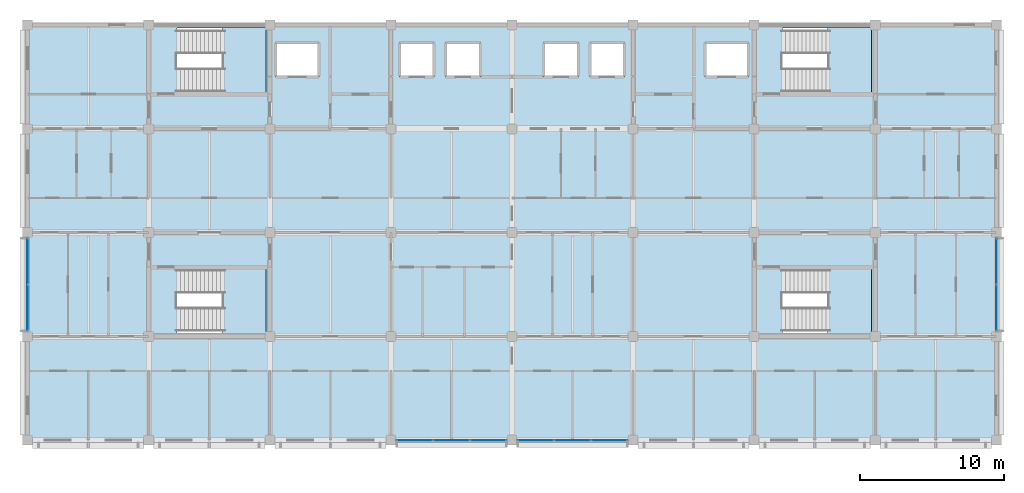
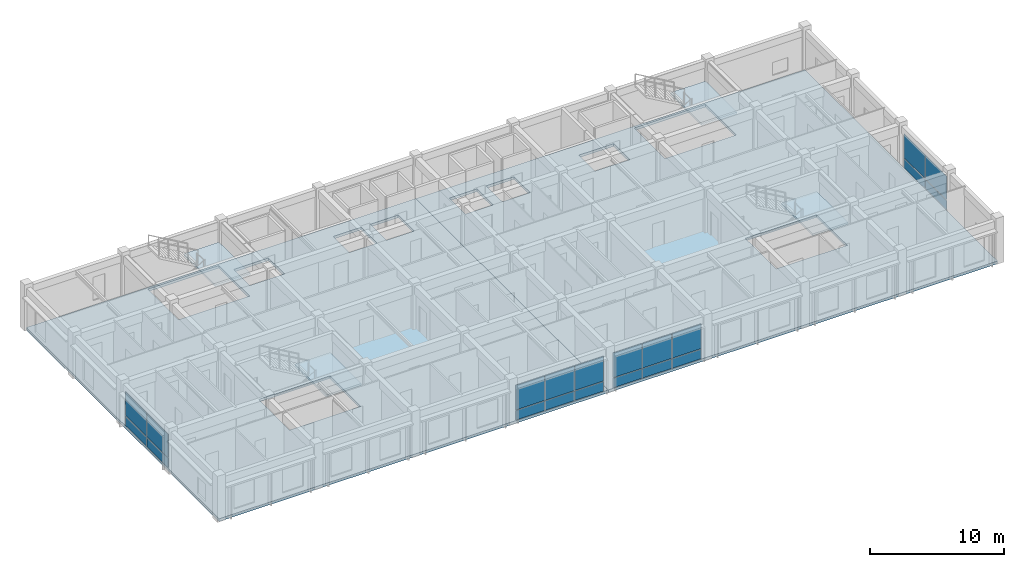
# One storey, part 8 of 19: 20 plates, 6 slabs, 8 elements without a shape of their own.
"""IFC4 building model written with IfcOpenShell, lengths in metres."""

from ifc_helpers import new_model, si_unit, direction, frame, origin, origin_2d, place, context, subcontext, project, spatial, polyline, rectangle, outline, extrude, material, layer, layer_set, type_object, element, aggregate, save


model = new_model("IFC4")

# Units and contexts
model_context = context("Model", 3, precision=1e-05, world=origin(), true_north=direction((0.0, 1.0)))
body_context = subcontext(model_context, "Body", "Model", "MODEL_VIEW")
ifc_project = project(units=[si_unit("LENGTHUNIT", "METRE"), si_unit("AREAUNIT", "SQUARE_METRE"), si_unit("VOLUMEUNIT", "CUBIC_METRE"), si_unit("PLANEANGLEUNIT", "RADIAN"), si_unit("MASSUNIT", "GRAM", prefix="KILO")], contexts=[model_context])

# Site, building, storey
site_placement = place(None, origin())
site = spatial("IfcSite", under=ifc_project, at=site_placement, CompositionType="ELEMENT")
building_placement = place(site_placement, origin())
building = spatial("IfcBuilding", under=site, at=building_placement, Name="Chengyuan Square Courthouse", CompositionType="ELEMENT")
storey_placement = place(building_placement, frame((0.0, 0.0, 56.10009765625)))
storey = spatial("IfcBuildingStorey", under=building, at=storey_placement, Name="L13", CompositionType="ELEMENT", Elevation=56.10009765625)

# Curtain wall, plates
ifc_material_1 = material(Name="Unitised Aluminium and Triple Low-E Glass", Category="aluminium")
ifc_layer_1 = layer(ifc_material_1, 0.159912109375)
ifc_layer_set_1 = layer_set([ifc_layer_1], Name="Unitised Aluminium and Triple Low-E Glass")
curtain_wall_type_1 = type_object("IfcCurtainWallType", Name="CW-13", PredefinedType="USERDEFINED", material=ifc_layer_set_1)
curtain_wall_1_placement = place(storey_placement, origin())
curtain_wall_1 = element("IfcCurtainWall", 1, at=curtain_wall_1_placement, inside=storey, type_object=curtain_wall_type_1, Name="Unitised Curtain Wall CW-L13-267", ObjectType="UNITISED CURTAIN WALL", PredefinedType="USERDEFINED")
ifc_material_2 = material(Name="Triple Low-E Insulating Glass", Category="glass")
ifc_layer_2 = layer(ifc_material_2, 0.02392578125)
ifc_layer_set_2 = layer_set([ifc_layer_2], Name="Triple Low-E Insulating Glass")
plate_type_1 = type_object("IfcPlateType", Name="CWP-01", PredefinedType="CURTAIN_PANEL", material=ifc_layer_set_2)
plate_1_placement = place(storey_placement, frame((77.248291015625, 79.199951171875, 0.06005859375), z_axis=(0.0, 0.0, 1.0), x_axis=(1.0, 0.0, 0.0)))
plate_1 = element("IfcPlate", 2, at=plate_1_placement, type_object=plate_type_1, Name="CW-13 panel 1.1", PredefinedType="CURTAIN_PANEL", context=body_context, shape_type="SweptSolid", body=[
    extrude(rectangle(XDim=2.4765625, YDim=0.02392578125, at=origin_2d()), origin(), (0.0, 0.0, 1.0), 0.860107421875),
])
plate_2_placement = place(storey_placement, frame((77.248291015625, 79.199951171875, 0.97998046875), z_axis=(0.0, 0.0, 1.0), x_axis=(1.0, 0.0, 0.0)))
plate_2 = element("IfcPlate", 3, at=plate_2_placement, type_object=plate_type_1, Name="CW-13 panel 1.2", PredefinedType="CURTAIN_PANEL", context=body_context, shape_type="SweptSolid", body=[
    extrude(rectangle(XDim=2.4765625, YDim=0.02392578125, at=origin_2d()), origin(), (0.0, 0.0, 1.0), 2.27001953125),
])
plate_3_placement = place(storey_placement, frame((79.800048828125, 79.199951171875, 0.06005859375), z_axis=(0.0, 0.0, 1.0), x_axis=(1.0, 0.0, 0.0)))
plate_3 = element("IfcPlate", 4, at=plate_3_placement, type_object=plate_type_1, Name="CW-13 panel 2.1", PredefinedType="CURTAIN_PANEL", context=body_context, shape_type="SweptSolid", body=[
    extrude(rectangle(XDim=2.506591796875, YDim=0.02392578125, at=origin_2d()), origin(), (0.0, 0.0, 1.0), 0.860107421875),
])
plate_4_placement = place(storey_placement, frame((79.800048828125, 79.199951171875, 0.97998046875), z_axis=(0.0, 0.0, 1.0), x_axis=(1.0, 0.0, 0.0)))
plate_4 = element("IfcPlate", 5, at=plate_4_placement, type_object=plate_type_1, Name="CW-13 panel 2.2", PredefinedType="CURTAIN_PANEL", context=body_context, shape_type="SweptSolid", body=[
    extrude(rectangle(XDim=2.506591796875, YDim=0.02392578125, at=origin_2d()), origin(), (0.0, 0.0, 1.0), 2.27001953125),
])
plate_5_placement = place(storey_placement, frame((82.3515625, 79.199951171875, 0.06005859375), z_axis=(0.0, 0.0, 1.0), x_axis=(1.0, 0.0, 0.0)))
plate_5 = element("IfcPlate", 6, at=plate_5_placement, type_object=plate_type_1, Name="CW-13 panel 3.1", PredefinedType="CURTAIN_PANEL", context=body_context, shape_type="SweptSolid", body=[
    extrude(rectangle(XDim=2.4765625, YDim=0.02392578125, at=origin_2d()), origin(), (0.0, 0.0, 1.0), 0.860107421875),
])
plate_6_placement = place(storey_placement, frame((82.3515625, 79.199951171875, 0.97998046875), z_axis=(0.0, 0.0, 1.0), x_axis=(1.0, 0.0, 0.0)))
plate_6 = element("IfcPlate", 7, at=plate_6_placement, type_object=plate_type_1, Name="CW-13 panel 3.2", PredefinedType="CURTAIN_PANEL", context=body_context, shape_type="SweptSolid", body=[
    extrude(rectangle(XDim=2.4765625, YDim=0.02392578125, at=origin_2d()), origin(), (0.0, 0.0, 1.0), 2.27001953125),
])
aggregate(curtain_wall_1, [plate_1, plate_2, plate_3, plate_4, plate_5, plate_6])

curtain_wall_2_placement = place(storey_placement, origin())
curtain_wall_2 = element("IfcCurtainWall", 8, at=curtain_wall_2_placement, inside=storey, type_object=curtain_wall_type_1, Name="Unitised Curtain Wall CW-L13-268", ObjectType="UNITISED CURTAIN WALL", PredefinedType="USERDEFINED")
plate_7_placement = place(storey_placement, frame((85.6484375, 79.199951171875, 0.06005859375), z_axis=(0.0, 0.0, 1.0), x_axis=(1.0, 0.0, 0.0)))
plate_7 = element("IfcPlate", 9, at=plate_7_placement, type_object=plate_type_1, Name="CW-13 panel 1.1", PredefinedType="CURTAIN_PANEL", context=body_context, shape_type="SweptSolid", body=[
    extrude(rectangle(XDim=2.4765625, YDim=0.02392578125, at=origin_2d()), origin(), (0.0, 0.0, 1.0), 0.860107421875),
])
plate_8_placement = place(storey_placement, frame((85.6484375, 79.199951171875, 0.97998046875), z_axis=(0.0, 0.0, 1.0), x_axis=(1.0, 0.0, 0.0)))
plate_8 = element("IfcPlate", 10, at=plate_8_placement, type_object=plate_type_1, Name="CW-13 panel 1.2", PredefinedType="CURTAIN_PANEL", context=body_context, shape_type="SweptSolid", body=[
    extrude(rectangle(XDim=2.4765625, YDim=0.02392578125, at=origin_2d()), origin(), (0.0, 0.0, 1.0), 2.27001953125),
])
plate_9_placement = place(storey_placement, frame((88.199951171875, 79.199951171875, 0.06005859375), z_axis=(0.0, 0.0, 1.0), x_axis=(1.0, 0.0, 0.0)))
plate_9 = element("IfcPlate", 11, at=plate_9_placement, type_object=plate_type_1, Name="CW-13 panel 2.1", PredefinedType="CURTAIN_PANEL", context=body_context, shape_type="SweptSolid", body=[
    extrude(rectangle(XDim=2.506591796875, YDim=0.02392578125, at=origin_2d()), origin(), (0.0, 0.0, 1.0), 0.860107421875),
])
plate_10_placement = place(storey_placement, frame((88.199951171875, 79.199951171875, 0.97998046875), z_axis=(0.0, 0.0, 1.0), x_axis=(1.0, 0.0, 0.0)))
plate_10 = element("IfcPlate", 12, at=plate_10_placement, type_object=plate_type_1, Name="CW-13 panel 2.2", PredefinedType="CURTAIN_PANEL", context=body_context, shape_type="SweptSolid", body=[
    extrude(rectangle(XDim=2.506591796875, YDim=0.02392578125, at=origin_2d()), origin(), (0.0, 0.0, 1.0), 2.27001953125),
])
plate_11_placement = place(storey_placement, frame((90.751708984375, 79.199951171875, 0.06005859375), z_axis=(0.0, 0.0, 1.0), x_axis=(1.0, 0.0, 0.0)))
plate_11 = element("IfcPlate", 13, at=plate_11_placement, type_object=plate_type_1, Name="CW-13 panel 3.1", PredefinedType="CURTAIN_PANEL", context=body_context, shape_type="SweptSolid", body=[
    extrude(rectangle(XDim=2.4765625, YDim=0.02392578125, at=origin_2d()), origin(), (0.0, 0.0, 1.0), 0.860107421875),
])
plate_12_placement = place(storey_placement, frame((90.751708984375, 79.199951171875, 0.97998046875), z_axis=(0.0, 0.0, 1.0), x_axis=(1.0, 0.0, 0.0)))
plate_12 = element("IfcPlate", 14, at=plate_12_placement, type_object=plate_type_1, Name="CW-13 panel 3.2", PredefinedType="CURTAIN_PANEL", context=body_context, shape_type="SweptSolid", body=[
    extrude(rectangle(XDim=2.4765625, YDim=0.02392578125, at=origin_2d()), origin(), (0.0, 0.0, 1.0), 2.27001953125),
])
aggregate(curtain_wall_2, [plate_7, plate_8, plate_9, plate_10, plate_11, plate_12])

ifc_layer_3 = layer(ifc_material_1, 0.179931640625)
ifc_layer_set_3 = layer_set([ifc_layer_3], Name="Unitised Aluminium and Triple Low-E Glass")
curtain_wall_type_2 = type_object("IfcCurtainWallType", Name="CW-02", PredefinedType="USERDEFINED", material=ifc_layer_set_3)
curtain_wall_3_placement = place(storey_placement, origin())
curtain_wall_3 = element("IfcCurtainWall", 15, at=curtain_wall_3_placement, inside=storey, type_object=curtain_wall_type_2, Name="Unitised Curtain Wall CW-L13-266", ObjectType="UNITISED CURTAIN WALL", PredefinedType="USERDEFINED")
ifc_layer_4 = layer(ifc_material_2, 0.031982421875)
ifc_layer_set_4 = layer_set([ifc_layer_4], Name="Triple Low-E Insulating Glass")
plate_type_2 = type_object("IfcPlateType", Name="CWP-02", PredefinedType="CURTAIN_PANEL", material=ifc_layer_set_4)
plate_13_placement = place(storey_placement, frame((50.39990234375, 88.391357421875, 0.06494140625), z_axis=(0.0, 0.0, 1.0), x_axis=(0.0, 1.0, 0.0)))
plate_13 = element("IfcPlate", 16, at=plate_13_placement, type_object=plate_type_2, Name="CW-02 panel 1.1", PredefinedType="CURTAIN_PANEL", context=body_context, shape_type="SweptSolid", body=[
    extrude(rectangle(XDim=3.152587890625, YDim=0.031982421875, at=origin_2d()), origin(), (0.0, 0.0, 1.0), 0.8525390625),
])
plate_14_placement = place(storey_placement, frame((50.39990234375, 88.391357421875, 0.982421875), z_axis=(0.0, 0.0, 1.0), x_axis=(0.0, 1.0, 0.0)))
plate_14 = element("IfcPlate", 17, at=plate_14_placement, type_object=plate_type_2, Name="CW-02 panel 1.2", PredefinedType="CURTAIN_PANEL", context=body_context, shape_type="SweptSolid", body=[
    extrude(rectangle(XDim=3.152587890625, YDim=0.031982421875, at=origin_2d()), origin(), (0.0, 0.0, 1.0), 2.152587890625),
])
plate_15_placement = place(storey_placement, frame((50.39990234375, 91.608642578125, 0.06494140625), z_axis=(0.0, 0.0, 1.0), x_axis=(0.0, 1.0, 0.0)))
plate_15 = element("IfcPlate", 18, at=plate_15_placement, type_object=plate_type_2, Name="CW-02 panel 2.1", PredefinedType="CURTAIN_PANEL", context=body_context, shape_type="SweptSolid", body=[
    extrude(rectangle(XDim=3.152587890625, YDim=0.031982421875, at=origin_2d()), origin(), (0.0, 0.0, 1.0), 0.8525390625),
])
plate_16_placement = place(storey_placement, frame((50.39990234375, 91.608642578125, 0.982421875), z_axis=(0.0, 0.0, 1.0), x_axis=(0.0, 1.0, 0.0)))
plate_16 = element("IfcPlate", 19, at=plate_16_placement, type_object=plate_type_2, Name="CW-02 panel 2.2", PredefinedType="CURTAIN_PANEL", context=body_context, shape_type="SweptSolid", body=[
    extrude(rectangle(XDim=3.152587890625, YDim=0.031982421875, at=origin_2d()), origin(), (0.0, 0.0, 1.0), 2.152587890625),
])
aggregate(curtain_wall_3, [plate_13, plate_14, plate_15, plate_16])

curtain_wall_4_placement = place(storey_placement, origin())
curtain_wall_4 = element("IfcCurtainWall", 20, at=curtain_wall_4_placement, inside=storey, type_object=curtain_wall_type_2, Name="Unitised Curtain Wall CW-L13-269", ObjectType="UNITISED CURTAIN WALL", PredefinedType="USERDEFINED")
plate_17_placement = place(storey_placement, frame((117.60009765625, 88.391357421875, 0.06494140625), z_axis=(0.0, 0.0, 1.0), x_axis=(0.0, 1.0, 0.0)))
plate_17 = element("IfcPlate", 21, at=plate_17_placement, type_object=plate_type_2, Name="CW-02 panel 1.1", PredefinedType="CURTAIN_PANEL", context=body_context, shape_type="SweptSolid", body=[
    extrude(rectangle(XDim=3.152587890625, YDim=0.031982421875, at=origin_2d()), origin(), (0.0, 0.0, 1.0), 0.8525390625),
])
plate_18_placement = place(storey_placement, frame((117.60009765625, 88.391357421875, 0.982421875), z_axis=(0.0, 0.0, 1.0), x_axis=(0.0, 1.0, 0.0)))
plate_18 = element("IfcPlate", 22, at=plate_18_placement, type_object=plate_type_2, Name="CW-02 panel 1.2", PredefinedType="CURTAIN_PANEL", context=body_context, shape_type="SweptSolid", body=[
    extrude(rectangle(XDim=3.152587890625, YDim=0.031982421875, at=origin_2d()), origin(), (0.0, 0.0, 1.0), 2.152587890625),
])
plate_19_placement = place(storey_placement, frame((117.60009765625, 91.608642578125, 0.06494140625), z_axis=(0.0, 0.0, 1.0), x_axis=(0.0, 1.0, 0.0)))
plate_19 = element("IfcPlate", 23, at=plate_19_placement, type_object=plate_type_2, Name="CW-02 panel 2.1", PredefinedType="CURTAIN_PANEL", context=body_context, shape_type="SweptSolid", body=[
    extrude(rectangle(XDim=3.152587890625, YDim=0.031982421875, at=origin_2d()), origin(), (0.0, 0.0, 1.0), 0.8525390625),
])
plate_20_placement = place(storey_placement, frame((117.60009765625, 91.608642578125, 0.982421875), z_axis=(0.0, 0.0, 1.0), x_axis=(0.0, 1.0, 0.0)))
plate_20 = element("IfcPlate", 24, at=plate_20_placement, type_object=plate_type_2, Name="CW-02 panel 2.2", PredefinedType="CURTAIN_PANEL", context=body_context, shape_type="SweptSolid", body=[
    extrude(rectangle(XDim=3.152587890625, YDim=0.031982421875, at=origin_2d()), origin(), (0.0, 0.0, 1.0), 2.152587890625),
])
aggregate(curtain_wall_4, [plate_17, plate_18, plate_19, plate_20])

# Stair, slab
ifc_material_3 = material(Name="Concrete C40", Category="concrete")
stair_type_1 = type_object("IfcStairType", Name="ST-TYPE-01", PredefinedType="HALF_TURN_STAIR", material=ifc_material_3)
stair_1_placement = place(storey_placement, origin())
stair_1 = element("IfcStair", 25, at=stair_1_placement, inside=storey, type_object=stair_type_1, Name="Smoke-Proof Exit Stair ST-1 (L13 to L14)", PredefinedType="HALF_TURN_STAIR")
ifc_layer_5 = layer(ifc_material_3, 0.179931640625)
ifc_layer_set_5 = layer_set([ifc_layer_5], Name="Concrete C40")
slab_type_1 = type_object("IfcSlabType", Name="SL-LND2", PredefinedType="LANDING", material=ifc_layer_set_5)
slab_1_placement = place(storey_placement, frame((0.0, 0.0, 1.919921875)))
slab_1 = element("IfcSlab", 26, at=slab_1_placement, type_object=slab_type_1, Name="ST-1 landing 1", PredefinedType="LANDING", context=body_context, shape_type="SweptSolid", body=[
    extrude(outline(polyline([(63.889892578125, 103.159912109375), (66.93994140625, 103.159912109375), (66.93994140625, 107.840087890625), (63.889892578125, 107.840087890625), (63.889892578125, 103.159912109375)])), origin(), (0.0, 0.0, 1.0), 0.179931640625),
])
aggregate(stair_1, [slab_1])

stair_type_2 = type_object("IfcStairType", Name="ST-TYPE-02", PredefinedType="HALF_TURN_STAIR", material=ifc_material_3)
stair_2_placement = place(storey_placement, origin())
stair_2 = element("IfcStair", 27, at=stair_2_placement, inside=storey, type_object=stair_type_2, Name="Smoke-Proof Exit Stair ST-2 (L13 to L14)", PredefinedType="HALF_TURN_STAIR")
slab_2_placement = place(storey_placement, frame((0.0, 0.0, 1.919921875)))
slab_2 = element("IfcSlab", 28, at=slab_2_placement, type_object=slab_type_1, Name="ST-2 landing 1", PredefinedType="LANDING", context=body_context, shape_type="SweptSolid", body=[
    extrude(outline(polyline([(105.889892578125, 103.159912109375), (108.93994140625, 103.159912109375), (108.93994140625, 107.840087890625), (105.889892578125, 107.840087890625), (105.889892578125, 103.159912109375)])), origin(), (0.0, 0.0, 1.0), 0.179931640625),
])
aggregate(stair_2, [slab_2])

stair_type_3 = type_object("IfcStairType", Name="ST-TYPE-03", PredefinedType="HALF_TURN_STAIR", material=ifc_material_3)
stair_3_placement = place(storey_placement, origin())
stair_3 = element("IfcStair", 29, at=stair_3_placement, inside=storey, type_object=stair_type_3, Name="Smoke-Proof Exit Stair ST-3 (L13 to L14)", PredefinedType="HALF_TURN_STAIR")
slab_3_placement = place(storey_placement, frame((0.0, 0.0, 1.919921875)))
slab_3 = element("IfcSlab", 30, at=slab_3_placement, type_object=slab_type_1, Name="ST-3 landing 1", PredefinedType="LANDING", context=body_context, shape_type="SweptSolid", body=[
    extrude(outline(polyline([(63.889892578125, 86.56005859375), (66.93994140625, 86.56005859375), (66.93994140625, 91.239990234375), (63.889892578125, 91.239990234375), (63.889892578125, 86.56005859375)])), origin(), (0.0, 0.0, 1.0), 0.179931640625),
])
aggregate(stair_3, [slab_3])

stair_type_4 = type_object("IfcStairType", Name="ST-TYPE-04", PredefinedType="HALF_TURN_STAIR", material=ifc_material_3)
stair_4_placement = place(storey_placement, origin())
stair_4 = element("IfcStair", 31, at=stair_4_placement, inside=storey, type_object=stair_type_4, Name="Smoke-Proof Exit Stair ST-4 (L13 to L14)", PredefinedType="HALF_TURN_STAIR")
slab_4_placement = place(storey_placement, frame((0.0, 0.0, 1.919921875)))
slab_4 = element("IfcSlab", 32, at=slab_4_placement, type_object=slab_type_1, Name="ST-4 landing 1", PredefinedType="LANDING", context=body_context, shape_type="SweptSolid", body=[
    extrude(outline(polyline([(105.889892578125, 86.56005859375), (108.93994140625, 86.56005859375), (108.93994140625, 91.239990234375), (105.889892578125, 91.239990234375), (105.889892578125, 86.56005859375)])), origin(), (0.0, 0.0, 1.0), 0.179931640625),
])
aggregate(stair_4, [slab_4])

# Slabs
ifc_layer_6 = layer(ifc_material_3, 0.239990234375)
ifc_layer_set_6 = layer_set([ifc_layer_6], Name="Concrete C40")
slab_type_2 = type_object("IfcSlabType", Name="SL-RC24", PredefinedType="FLOOR", material=ifc_layer_set_6)
slab_5_placement = place(storey_placement, frame((0.0, 0.0, -0.239990234375)))
element("IfcSlab", 33, at=slab_5_placement, inside=storey, type_object=slab_type_2, Name="Suspended Floor Slab SL-L13-01", PredefinedType="FLOOR", context=body_context, shape_type="SweptSolid", body=[
    extrude(outline(polyline([(50.39990234375, 79.199951171875), (50.39990234375, 86.39990234375), (50.39990234375, 93.60009765625), (50.39990234375, 100.800048828125), (50.39990234375, 108.0), (58.800048828125, 108.0), (67.199951171875, 108.0), (75.60009765625, 108.0), (84.0, 108.0), (84.0, 79.199951171875), (75.60009765625, 79.199951171875), (67.199951171875, 79.199951171875), (58.800048828125, 79.199951171875), (50.39990234375, 79.199951171875)]), holes=[polyline([(60.75, 86.60009765625), (66.89990234375, 86.60009765625), (66.89990234375, 91.199951171875), (60.75, 91.199951171875), (60.75, 86.60009765625)]), polyline([(60.75, 103.199951171875), (66.89990234375, 103.199951171875), (66.89990234375, 107.800048828125), (60.75, 107.800048828125), (60.75, 103.199951171875)]), polyline([(67.60009765625, 106.800048828125), (67.60009765625, 104.39990234375), (70.60009765625, 104.39990234375), (70.60009765625, 106.800048828125), (67.60009765625, 106.800048828125)]), polyline([(76.199951171875, 104.39990234375), (78.60009765625, 104.39990234375), (78.60009765625, 106.800048828125), (76.199951171875, 106.800048828125), (76.199951171875, 104.39990234375)]), polyline([(79.39990234375, 104.39990234375), (81.800048828125, 104.39990234375), (81.800048828125, 106.800048828125), (79.39990234375, 106.800048828125), (79.39990234375, 104.39990234375)])]), origin(), (0.0, 0.0, 1.0), 0.239990234375),
])
slab_6_placement = place(storey_placement, frame((0.0, 0.0, -0.239990234375)))
element("IfcSlab", 34, at=slab_6_placement, inside=storey, type_object=slab_type_2, Name="Suspended Floor Slab SL-L13-02", PredefinedType="FLOOR", context=body_context, shape_type="SweptSolid", body=[
    extrude(outline(polyline([(92.39990234375, 108.0), (100.800048828125, 108.0), (109.199951171875, 108.0), (117.60009765625, 108.0), (117.60009765625, 100.800048828125), (117.60009765625, 93.60009765625), (117.60009765625, 86.39990234375), (117.60009765625, 79.199951171875), (109.199951171875, 79.199951171875), (100.800048828125, 79.199951171875), (92.39990234375, 79.199951171875), (84.0, 79.199951171875), (84.0, 108.0), (92.39990234375, 108.0)]), holes=[polyline([(102.75, 86.60009765625), (108.89990234375, 86.60009765625), (108.89990234375, 91.199951171875), (102.75, 91.199951171875), (102.75, 86.60009765625)]), polyline([(102.75, 107.800048828125), (102.75, 103.199951171875), (108.89990234375, 103.199951171875), (108.89990234375, 107.800048828125), (102.75, 107.800048828125)]), polyline([(86.199951171875, 104.39990234375), (88.60009765625, 104.39990234375), (88.60009765625, 106.800048828125), (86.199951171875, 106.800048828125), (86.199951171875, 104.39990234375)]), polyline([(89.39990234375, 106.800048828125), (89.39990234375, 104.39990234375), (91.800048828125, 104.39990234375), (91.800048828125, 106.800048828125), (89.39990234375, 106.800048828125)]), polyline([(97.39990234375, 106.800048828125), (97.39990234375, 104.39990234375), (100.39990234375, 104.39990234375), (100.39990234375, 106.800048828125), (97.39990234375, 106.800048828125)])]), origin(), (0.0, 0.0, 1.0), 0.239990234375),
])

save(model, "model.ifc")
